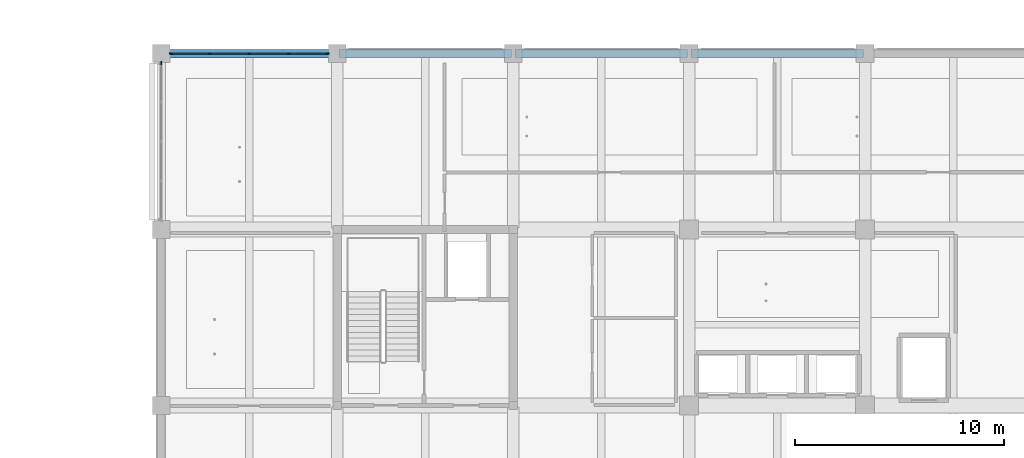
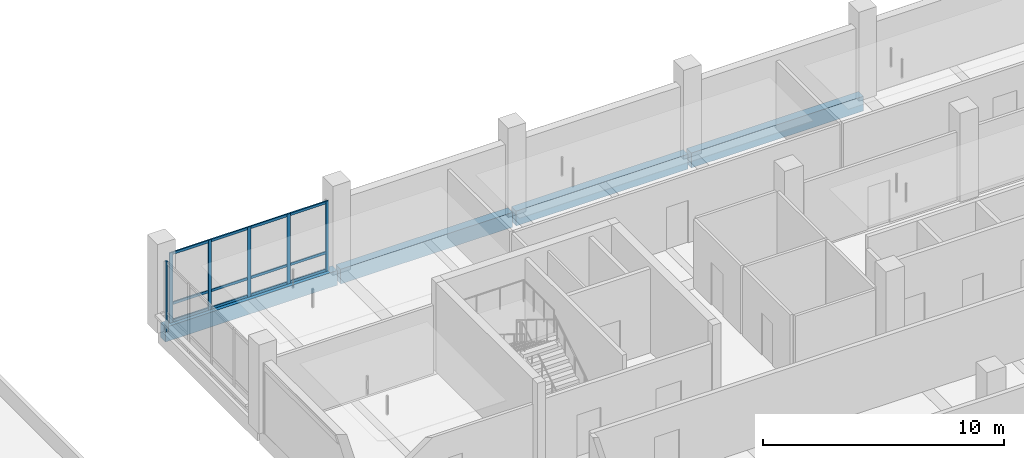
# One storey, part 6 of 39: 18 members, 4 beams, 2 elements without a shape of their own.
"""IFC4 building model written with IfcOpenShell, lengths in metres."""

import ifcopenshell
import ifcopenshell.guid

model = None  # the IFC model being written
_history = None  # IfcOwnerHistory: only IFC2X3 demands one
_inside = {}  # id of a spatial element -> (the spatial element, [elements in it])
_under = {}  # id of a project, library or spatial element -> (it, [spatial elements below it])
_declared = {}  # id of a project -> (the project, [libraries it declares])
_typed = {}  # id of a type object -> (the type object, [elements of that type])
_made_of = {}  # id of a material, layer set ... -> (it, [elements and type objects made of it])


def new_model(schema):
    """Start an empty IFC model of exactly this schema.

    Asked for "IFC4X3", IfcOpenShell would pick the latest addendum, in which some entities
    have other attributes; the version numbers below select the first issue.
    IFC2X3 requires an IfcOwnerHistory on every rooted entity: one is made here for all.
    """
    global model, _history
    if schema == "IFC4X3":
        model = ifcopenshell.file(schema_version=(4, 3, 0, 0))
    else:
        model = ifcopenshell.file(schema=schema)
    _inside.clear()
    _under.clear()
    _declared.clear()
    _typed.clear()
    _made_of.clear()
    _history = None
    if model.schema == "IFC2X3":
        org = make("IfcOrganization", Name="unknown")
        user = make(
            "IfcPersonAndOrganization",
            ThePerson=make("IfcPerson", FamilyName="unknown"),
            TheOrganization=org,
        )
        app = make(
            "IfcApplication",
            ApplicationDeveloper=org,
            Version="unknown",
            ApplicationFullName="unknown",
            ApplicationIdentifier="unknown",
        )
        _history = make(
            "IfcOwnerHistory",
            OwningUser=user,
            OwningApplication=app,
            ChangeAction="ADDED",
            CreationDate=0,
        )
    return model


def make(cls, **values):
    """One entity of the class cls with the attributes given. An attribute that is None is left unset."""
    return model.create_entity(
        cls, **{name: value for name, value in values.items() if value is not None}
    )


def rooted(cls, **values):
    """An entity with a GlobalId (a new one), such as an element, a storey or a relation."""
    return make(cls, GlobalId=ifcopenshell.guid.new(), OwnerHistory=_history, **values)


def si_unit(unit_type, name, prefix=None):
    """IfcSIUnit, for example si_unit("LENGTHUNIT", "METRE", prefix="MILLI")."""
    return make("IfcSIUnit", UnitType=unit_type, Prefix=prefix, Name=name)


def assignment(units):
    """IfcUnitAssignment: the units of a project."""
    return None if units is None else make("IfcUnitAssignment", Units=units)


def point(xyz):
    """IfcCartesianPoint."""
    return None if xyz is None else make("IfcCartesianPoint", Coordinates=xyz)


def direction(xyz):
    """IfcDirection."""
    return None if xyz is None else make("IfcDirection", DirectionRatios=xyz)


def frame(location, z_axis=None, x_axis=None):
    """IfcAxis2Placement3D, a coordinate frame: its origin and axes. An axis left out is left unset."""
    return make(
        "IfcAxis2Placement3D",
        Location=point(location),
        Axis=direction(z_axis),
        RefDirection=direction(x_axis),
    )


def frame_2d(location, x_axis=None):
    """IfcAxis2Placement2D, a coordinate frame in the plane: its origin and x axis."""
    return make(
        "IfcAxis2Placement2D", Location=point(location), RefDirection=direction(x_axis)
    )


def origin():
    """The frame at (0, 0, 0) with its axes left unset."""
    return frame((0.0, 0.0, 0.0))


def origin_2d():
    """The frame at (0, 0) in the plane with its x axis left unset."""
    return frame_2d((0.0, 0.0))


def place(relative_to, where):
    """IfcLocalPlacement: puts the frame where relative to a parent placement (None: the world)."""
    return make(
        "IfcLocalPlacement", PlacementRelTo=relative_to, RelativePlacement=where
    )


def context(
    kind, dimensions, precision=None, world=None, true_north=None, identifier=None
):
    """IfcGeometricRepresentationContext, for example the 3D "Model" context."""
    return make(
        "IfcGeometricRepresentationContext",
        ContextIdentifier=identifier,
        ContextType=kind,
        CoordinateSpaceDimension=dimensions,
        Precision=precision,
        WorldCoordinateSystem=world,
        TrueNorth=true_north,
    )


def subcontext(parent, identifier, kind, view, scale=None):
    """IfcGeometricRepresentationSubContext, for example "Body" below "Model"."""
    return make(
        "IfcGeometricRepresentationSubContext",
        ContextIdentifier=identifier,
        ContextType=kind,
        ParentContext=parent,
        TargetScale=scale,
        TargetView=view,
    )


def project(units=None, contexts=None):
    """IfcProject with its units and contexts."""
    return rooted(
        "IfcProject",
        Name="project",
        RepresentationContexts=contexts,
        UnitsInContext=assignment(units),
    )


def spatial(cls, under=None, at=None, **own):
    """A site, building, storey or space (cls), placed at a placement, below another one or the project."""
    s = rooted(cls, ObjectPlacement=at, **own)
    if under is not None:
        _under.setdefault(under.id(), (under, []))[1].append(s)
    return s


def profile(cls, at=None, kind="AREA", **sizes):
    """A parametric profile (cls). Its sizes go by their IFC names, for example OverallWidth=200.0."""
    return make(cls, ProfileType=kind, Position=at, **sizes)


def rectangle(**sizes):
    """IfcRectangleProfileDef."""
    return profile("IfcRectangleProfileDef", **sizes)


def extrude(swept, where, along, depth):
    """IfcExtrudedAreaSolid: the profile swept, set in the frame where, extruded along a direction by depth."""
    return make(
        "IfcExtrudedAreaSolid",
        SweptArea=swept,
        Position=where,
        ExtrudedDirection=direction(along),
        Depth=depth,
    )


def shape(context_of_items, identifier, shape_type, items):
    """IfcShapeRepresentation: the items that make up one representation, for example the "Body"."""
    return make(
        "IfcShapeRepresentation",
        ContextOfItems=context_of_items,
        RepresentationIdentifier=identifier,
        RepresentationType=shape_type,
        Items=items,
    )


def material(Name=None, Category=None):
    """IfcMaterial."""
    return make("IfcMaterial", Name=Name, Category=Category)


def layer(
    of_material, thickness, ventilated=None, Name=None, Category=None, Priority=None
):
    """IfcMaterialLayer: one layer of a wall or slab, of a material (None: an air gap)."""
    return make(
        "IfcMaterialLayer",
        Material=of_material,
        LayerThickness=thickness,
        IsVentilated=ventilated,
        Name=Name,
        Category=Category,
        Priority=Priority,
    )


def layer_set(layers, Name=None):
    """IfcMaterialLayerSet."""
    return make("IfcMaterialLayerSet", MaterialLayers=layers, LayerSetName=Name)


def material_profile(
    of_material, cross_section, Name=None, Category=None, Priority=None
):
    """IfcMaterialProfile: a cross section and its material."""
    return make(
        "IfcMaterialProfile",
        Name=Name,
        Material=of_material,
        Profile=cross_section,
        Priority=Priority,
        Category=Category,
    )


def profile_set(profiles, Name=None, composite=None):
    """IfcMaterialProfileSet."""
    return make(
        "IfcMaterialProfileSet",
        Name=Name,
        MaterialProfiles=profiles,
        CompositeProfile=composite,
    )


def made_of(thing, what):
    """Note that an element or type object is made of a material, layer set ...; save() writes the relation."""
    if what is not None:
        _made_of.setdefault(what.id(), (what, []))[1].append(thing)
    return thing


def type_object(cls, material=None, **own):
    """A type object (cls), such as IfcWallType, which elements share."""
    return made_of(rooted(cls, **own), material)


def element(
    cls,
    number,
    at=None,
    inside=None,
    cuts=None,
    type_object=None,
    material=None,
    context=None,
    identifier="Body",
    shape_type=None,
    held_by="IfcProductDefinitionShape",
    body=None,
    shapes=None,
    **own,
):
    """One element of the class cls, such as IfcWall. Its Tag is "e" and its number.

    at: its placement. inside: the storey or other place that contains it. cuts: it is an
    opening in that element (IfcRelVoidsElement). A single representation is given by context,
    identifier, shape_type and body (its items); several are given by shapes. held_by: the class
    of the entity that holds the representations. save() writes the other relations.
    """
    e = rooted(cls, Tag="e%d" % number, ObjectPlacement=at, **own)
    if body is not None:
        shapes = [shape(context, identifier, shape_type, body)]
    if shapes is not None:
        e.Representation = make(held_by, Representations=shapes)
    if inside is not None:
        _inside.setdefault(inside.id(), (inside, []))[1].append(e)
    if cuts is not None:
        rooted(
            "IfcRelVoidsElement", RelatingBuildingElement=cuts, RelatedOpeningElement=e
        )
    if type_object is not None:
        _typed.setdefault(type_object.id(), (type_object, []))[1].append(e)
    return made_of(e, material)


def aggregate(whole, parts):
    """IfcRelAggregates: a whole, such as a stair, and the parts it consists of."""
    return rooted("IfcRelAggregates", RelatingObject=whole, RelatedObjects=parts)


def save(model, path):
    """Write the relations noted so far, then the file.

    IfcRelAggregates (storeys below a building ...), IfcRelContainedInSpatialStructure (elements
    in a storey), IfcRelDefinesByType, IfcRelAssociatesMaterial and IfcRelDeclares: one each for
    every whole, place, type object, material and project.
    """
    for whole, parts in _under.values():
        aggregate(whole, parts)
    for where, things in _inside.values():
        rooted(
            "IfcRelContainedInSpatialStructure",
            RelatedElements=things,
            RelatingStructure=where,
        )
    for kind, things in _typed.values():
        rooted("IfcRelDefinesByType", RelatedObjects=things, RelatingType=kind)
    for what, things in _made_of.values():
        rooted("IfcRelAssociatesMaterial", RelatedObjects=things, RelatingMaterial=what)
    for by, libraries in _declared.values():
        rooted("IfcRelDeclares", RelatingContext=by, RelatedDefinitions=libraries)
    model.write(path)


model = new_model("IFC4")

# Units and contexts
model_context = context("Model", 3, precision=1e-05, world=origin(), true_north=direction((0.0, 1.0)))
body_context = subcontext(model_context, "Body", "Model", "MODEL_VIEW")
ifc_project = project(units=[si_unit("LENGTHUNIT", "METRE"), si_unit("AREAUNIT", "SQUARE_METRE"), si_unit("VOLUMEUNIT", "CUBIC_METRE"), si_unit("PLANEANGLEUNIT", "RADIAN"), si_unit("MASSUNIT", "GRAM", prefix="KILO")], contexts=[model_context])

# Site, building, storey
site_placement = place(None, origin())
site = spatial("IfcSite", under=ifc_project, at=site_placement, CompositionType="ELEMENT")
building_placement = place(site_placement, origin())
building = spatial("IfcBuilding", under=site, at=building_placement, Name="Telukmera Botanical Conservatory", CompositionType="ELEMENT")
storey_placement = place(building_placement, frame((0.0, 0.0, 19.5)))
storey = spatial("IfcBuildingStorey", under=building, at=storey_placement, Name="L04", CompositionType="ELEMENT", Elevation=19.5)

# Beams
ifc_material_1 = material(Name="Precast concrete C40/50", Category="concrete")
ifc_material_profile_1 = material_profile(ifc_material_1, rectangle(XDim=0.39990234375, YDim=0.75, at=origin_2d()), Name="PC 400x750")
ifc_profile_set_1 = profile_set([ifc_material_profile_1], Name="Precast concrete C40/50")
beam_type = type_object("IfcBeamType", Name="Beam_SP1", PredefinedType="SPANDREL", material=ifc_profile_set_1)
beam_1_placement = place(storey_placement, frame((50.47998046875, 42.800048828125, -0.375), z_axis=(1.0, 0.0, 0.0), x_axis=(0.0, 1.0, 0.0)))
element("IfcBeam", 1, at=beam_1_placement, inside=storey, type_object=beam_type, Name="Tower Grid Beam L04", PredefinedType="SPANDREL", context=body_context, shape_type="SweptSolid", body=[
    extrude(rectangle(XDim=0.39990234375, YDim=0.75, at=origin_2d()), origin(), (0.0, 0.0, 1.0), 8.239990234375),
])
beam_2_placement = place(storey_placement, frame((58.8798828125, 42.800048828125, -0.375), z_axis=(1.0, 0.0, 0.0), x_axis=(0.0, 1.0, 0.0)))
element("IfcBeam", 2, at=beam_2_placement, inside=storey, type_object=beam_type, Name="Tower Grid Beam L04", PredefinedType="SPANDREL", context=body_context, shape_type="SweptSolid", body=[
    extrude(rectangle(XDim=0.39990234375, YDim=0.75, at=origin_2d()), origin(), (0.0, 0.0, 1.0), 8.240234375),
])
for number, where, z_axis, x_axis, name in (
    (3, (67.280029296875, 42.800048828125, -0.375), (1.0, 0.0, 0.0), (0.0, 1.0, 0.0), "Tower Grid Beam L04"),
    (4, (75.679931640625, 42.800048828125, -0.375), (1.0, 0.0, 0.0), (0.0, 1.0, 0.0), "Tower Grid Beam L04"),
):
    element("IfcBeam", number, at=place(storey_placement, frame(where, z_axis=z_axis, x_axis=x_axis)), inside=storey, type_object=beam_type, Name=name, PredefinedType="SPANDREL", context=body_context, shape_type="SweptSolid", body=[
        extrude(rectangle(XDim=0.39990234375, YDim=0.75, at=origin_2d()), origin(), (0.0, 0.0, 1.0), 8.239990234375),
    ])

# Curtain wall, members
ifc_material_2 = material(Name="Anodised aluminium 6063-T6", Category="aluminium")
ifc_layer = layer(ifc_material_2, 0.179931640625)
ifc_layer_set = layer_set([ifc_layer], Name="Anodised aluminium 6063-T6")
curtain_wall_type = type_object("IfcCurtainWallType", Name="Tower Herbarium Curation Corner Curtain Wall", PredefinedType="USERDEFINED", material=ifc_layer_set)
curtain_wall_1_placement = place(storey_placement, origin())
curtain_wall_1 = element("IfcCurtainWall", 5, at=curtain_wall_1_placement, inside=storey, type_object=curtain_wall_type, Name="Unitised Curtain Wall CW14 V4:L04:N1", ObjectType="UNITISED CURTAIN WALL", PredefinedType="USERDEFINED")
ifc_material_profile_2 = material_profile(ifc_material_2, rectangle(XDim=0.06494140625, YDim=0.159912109375, at=origin_2d()), Name="ALU MULL 65x160")
ifc_profile_set_2 = profile_set([ifc_material_profile_2], Name="Anodised aluminium 6063-T6")
member_type_1 = type_object("IfcMemberType", Name="Curtain Wall Extruded Mullion 65x160", PredefinedType="MULLION", material=ifc_profile_set_2)
member_1_placement = place(storey_placement, frame((50.859619140625, 42.800048828125, 0.0), z_axis=(0.0, 0.0, 1.0), x_axis=(0.0, 1.0, 0.0)))
member_1 = element("IfcMember", 6, at=member_1_placement, type_object=member_type_1, Name="CW14 mullion 1", PredefinedType="MULLION", context=body_context, shape_type="SweptSolid", body=[
    extrude(rectangle(XDim=0.06494140625, YDim=0.159912109375, at=origin_2d()), origin(), (0.0, 0.0, 1.0), 3.550048828125),
])
member_2_placement = place(storey_placement, frame((52.71337890625, 42.800048828125, 0.0), z_axis=(0.0, 0.0, 1.0), x_axis=(0.0, 1.0, 0.0)))
member_2 = element("IfcMember", 7, at=member_2_placement, type_object=member_type_1, Name="CW14 mullion 2", PredefinedType="MULLION", context=body_context, shape_type="SweptSolid", body=[
    extrude(rectangle(XDim=0.06494140625, YDim=0.159912109375, at=origin_2d()), origin(), (0.0, 0.0, 1.0), 3.550048828125),
])
member_3_placement = place(storey_placement, frame((54.60009765625, 42.800048828125, 0.0), z_axis=(0.0, 0.0, 1.0), x_axis=(0.0, 1.0, 0.0)))
member_3 = element("IfcMember", 8, at=member_3_placement, type_object=member_type_1, Name="CW14 mullion 3", PredefinedType="MULLION", context=body_context, shape_type="SweptSolid", body=[
    extrude(rectangle(XDim=0.06494140625, YDim=0.159912109375, at=origin_2d()), origin(), (0.0, 0.0, 1.0), 3.550048828125),
])
member_4_placement = place(storey_placement, frame((56.486572265625, 42.800048828125, 0.0), z_axis=(0.0, 0.0, 1.0), x_axis=(0.0, 1.0, 0.0)))
member_4 = element("IfcMember", 9, at=member_4_placement, type_object=member_type_1, Name="CW14 mullion 4", PredefinedType="MULLION", context=body_context, shape_type="SweptSolid", body=[
    extrude(rectangle(XDim=0.06494140625, YDim=0.159912109375, at=origin_2d()), origin(), (0.0, 0.0, 1.0), 3.550048828125),
])
member_5_placement = place(storey_placement, frame((58.340576171875, 42.800048828125, 0.0), z_axis=(0.0, 0.0, 1.0), x_axis=(0.0, 1.0, 0.0)))
member_5 = element("IfcMember", 10, at=member_5_placement, type_object=member_type_1, Name="CW14 mullion 5", PredefinedType="MULLION", context=body_context, shape_type="SweptSolid", body=[
    extrude(rectangle(XDim=0.06494140625, YDim=0.159912109375, at=origin_2d()), origin(), (0.0, 0.0, 1.0), 3.550048828125),
])

# Curtain wall, member
curtain_wall_2_placement = place(storey_placement, origin())
curtain_wall_2 = element("IfcCurtainWall", 11, at=curtain_wall_2_placement, inside=storey, type_object=curtain_wall_type, Name="Unitised Curtain Wall CW14 V4:L04:W4", ObjectType="UNITISED CURTAIN WALL", PredefinedType="USERDEFINED")
member_6_placement = place(storey_placement, frame((50.39990234375, 42.340576171875, 0.0), z_axis=(0.0, 0.0, 1.0), x_axis=(-1.0, 0.0, 0.0)))
member_6 = element("IfcMember", 12, at=member_6_placement, type_object=member_type_1, Name="CW14 mullion 5", PredefinedType="MULLION", context=body_context, shape_type="SweptSolid", body=[
    extrude(rectangle(XDim=0.06494140625, YDim=0.159912109375, at=origin_2d()), origin(), (0.0, 0.0, 1.0), 3.550048828125),
])
aggregate(curtain_wall_2, [member_6])

# Member
ifc_material_profile_3 = material_profile(ifc_material_2, rectangle(XDim=0.06494140625, YDim=0.1298828125, at=origin_2d()), Name="ALU TRAN 65x130")
ifc_profile_set_3 = profile_set([ifc_material_profile_3], Name="Anodised aluminium 6063-T6")
member_type_2 = type_object("IfcMemberType", Name="Curtain Wall Extruded Transom 65x130", PredefinedType="USERDEFINED", material=ifc_profile_set_3)
member_7_placement = place(storey_placement, frame((50.89208984375, 42.800048828125, 0.06494140625), z_axis=(1.0, 0.0, 0.0), x_axis=(0.0, 1.0, 0.0)))
member_7 = element("IfcMember", 13, at=member_7_placement, type_object=member_type_2, Name="CW14 transom 1.1", ObjectType="TRANSOM", PredefinedType="USERDEFINED", context=body_context, shape_type="SweptSolid", body=[
    extrude(rectangle(XDim=0.06494140625, YDim=0.1298828125, at=origin_2d()), origin(), (0.0, 0.0, 1.0), 1.788818359375),
])

member_8_placement = place(storey_placement, frame((50.89208984375, 42.800048828125, 0.949951171875), z_axis=(1.0, 0.0, 0.0), x_axis=(0.0, 1.0, 0.0)))
member_8 = element("IfcMember", 14, at=member_8_placement, type_object=member_type_2, Name="CW14 transom 1.2", ObjectType="TRANSOM", PredefinedType="USERDEFINED", context=body_context, shape_type="SweptSolid", body=[
    extrude(rectangle(XDim=0.06494140625, YDim=0.1298828125, at=origin_2d()), origin(), (0.0, 0.0, 1.0), 1.788818359375),
])

member_9_placement = place(storey_placement, frame((50.89208984375, 42.800048828125, 3.485107421875), z_axis=(1.0, 0.0, 0.0), x_axis=(0.0, 1.0, 0.0)))
member_9 = element("IfcMember", 15, at=member_9_placement, type_object=member_type_2, Name="CW14 transom 1.3", ObjectType="TRANSOM", PredefinedType="USERDEFINED", context=body_context, shape_type="SweptSolid", body=[
    extrude(rectangle(XDim=0.06494140625, YDim=0.1298828125, at=origin_2d()), origin(), (0.0, 0.0, 1.0), 1.788818359375),
])

member_10_placement = place(storey_placement, frame((52.74609375, 42.800048828125, 0.06494140625), z_axis=(1.0, 0.0, 0.0), x_axis=(0.0, 1.0, 0.0)))
member_10 = element("IfcMember", 16, at=member_10_placement, type_object=member_type_2, Name="CW14 transom 2.1", ObjectType="TRANSOM", PredefinedType="USERDEFINED", context=body_context, shape_type="SweptSolid", body=[
    extrude(rectangle(XDim=0.06494140625, YDim=0.1298828125, at=origin_2d()), origin(), (0.0, 0.0, 1.0), 1.8212890625),
])

member_11_placement = place(storey_placement, frame((52.74609375, 42.800048828125, 0.949951171875), z_axis=(1.0, 0.0, 0.0), x_axis=(0.0, 1.0, 0.0)))
member_11 = element("IfcMember", 17, at=member_11_placement, type_object=member_type_2, Name="CW14 transom 2.2", ObjectType="TRANSOM", PredefinedType="USERDEFINED", context=body_context, shape_type="SweptSolid", body=[
    extrude(rectangle(XDim=0.06494140625, YDim=0.1298828125, at=origin_2d()), origin(), (0.0, 0.0, 1.0), 1.8212890625),
])

member_12_placement = place(storey_placement, frame((52.74609375, 42.800048828125, 3.485107421875), z_axis=(1.0, 0.0, 0.0), x_axis=(0.0, 1.0, 0.0)))
member_12 = element("IfcMember", 18, at=member_12_placement, type_object=member_type_2, Name="CW14 transom 2.3", ObjectType="TRANSOM", PredefinedType="USERDEFINED", context=body_context, shape_type="SweptSolid", body=[
    extrude(rectangle(XDim=0.06494140625, YDim=0.1298828125, at=origin_2d()), origin(), (0.0, 0.0, 1.0), 1.8212890625),
])

member_13_placement = place(storey_placement, frame((54.632568359375, 42.800048828125, 0.06494140625), z_axis=(1.0, 0.0, 0.0), x_axis=(0.0, 1.0, 0.0)))
member_13 = element("IfcMember", 19, at=member_13_placement, type_object=member_type_2, Name="CW14 transom 3.1", ObjectType="TRANSOM", PredefinedType="USERDEFINED", context=body_context, shape_type="SweptSolid", body=[
    extrude(rectangle(XDim=0.06494140625, YDim=0.1298828125, at=origin_2d()), origin(), (0.0, 0.0, 1.0), 1.821533203125),
])

member_14_placement = place(storey_placement, frame((54.632568359375, 42.800048828125, 0.949951171875), z_axis=(1.0, 0.0, 0.0), x_axis=(0.0, 1.0, 0.0)))
member_14 = element("IfcMember", 20, at=member_14_placement, type_object=member_type_2, Name="CW14 transom 3.2", ObjectType="TRANSOM", PredefinedType="USERDEFINED", context=body_context, shape_type="SweptSolid", body=[
    extrude(rectangle(XDim=0.06494140625, YDim=0.1298828125, at=origin_2d()), origin(), (0.0, 0.0, 1.0), 1.821533203125),
])

member_15_placement = place(storey_placement, frame((54.632568359375, 42.800048828125, 3.485107421875), z_axis=(1.0, 0.0, 0.0), x_axis=(0.0, 1.0, 0.0)))
member_15 = element("IfcMember", 21, at=member_15_placement, type_object=member_type_2, Name="CW14 transom 3.3", ObjectType="TRANSOM", PredefinedType="USERDEFINED", context=body_context, shape_type="SweptSolid", body=[
    extrude(rectangle(XDim=0.06494140625, YDim=0.1298828125, at=origin_2d()), origin(), (0.0, 0.0, 1.0), 1.821533203125),
])

member_16_placement = place(storey_placement, frame((56.51904296875, 42.800048828125, 0.06494140625), z_axis=(1.0, 0.0, 0.0), x_axis=(0.0, 1.0, 0.0)))
member_16 = element("IfcMember", 22, at=member_16_placement, type_object=member_type_2, Name="CW14 transom 4.1", ObjectType="TRANSOM", PredefinedType="USERDEFINED", context=body_context, shape_type="SweptSolid", body=[
    extrude(rectangle(XDim=0.06494140625, YDim=0.1298828125, at=origin_2d()), origin(), (0.0, 0.0, 1.0), 1.7890625),
])

member_17_placement = place(storey_placement, frame((56.51904296875, 42.800048828125, 0.949951171875), z_axis=(1.0, 0.0, 0.0), x_axis=(0.0, 1.0, 0.0)))
member_17 = element("IfcMember", 23, at=member_17_placement, type_object=member_type_2, Name="CW14 transom 4.2", ObjectType="TRANSOM", PredefinedType="USERDEFINED", context=body_context, shape_type="SweptSolid", body=[
    extrude(rectangle(XDim=0.06494140625, YDim=0.1298828125, at=origin_2d()), origin(), (0.0, 0.0, 1.0), 1.7890625),
])

member_18_placement = place(storey_placement, frame((56.51904296875, 42.800048828125, 3.485107421875), z_axis=(1.0, 0.0, 0.0), x_axis=(0.0, 1.0, 0.0)))
member_18 = element("IfcMember", 24, at=member_18_placement, type_object=member_type_2, Name="CW14 transom 4.3", ObjectType="TRANSOM", PredefinedType="USERDEFINED", context=body_context, shape_type="SweptSolid", body=[
    extrude(rectangle(XDim=0.06494140625, YDim=0.1298828125, at=origin_2d()), origin(), (0.0, 0.0, 1.0), 1.7890625),
])

aggregate(curtain_wall_1, [member_1, member_2, member_3, member_4, member_5, member_7, member_8, member_9, member_10, member_11, member_12, member_13, member_14, member_15, member_16, member_17, member_18])

save(model, "model.ifc")
